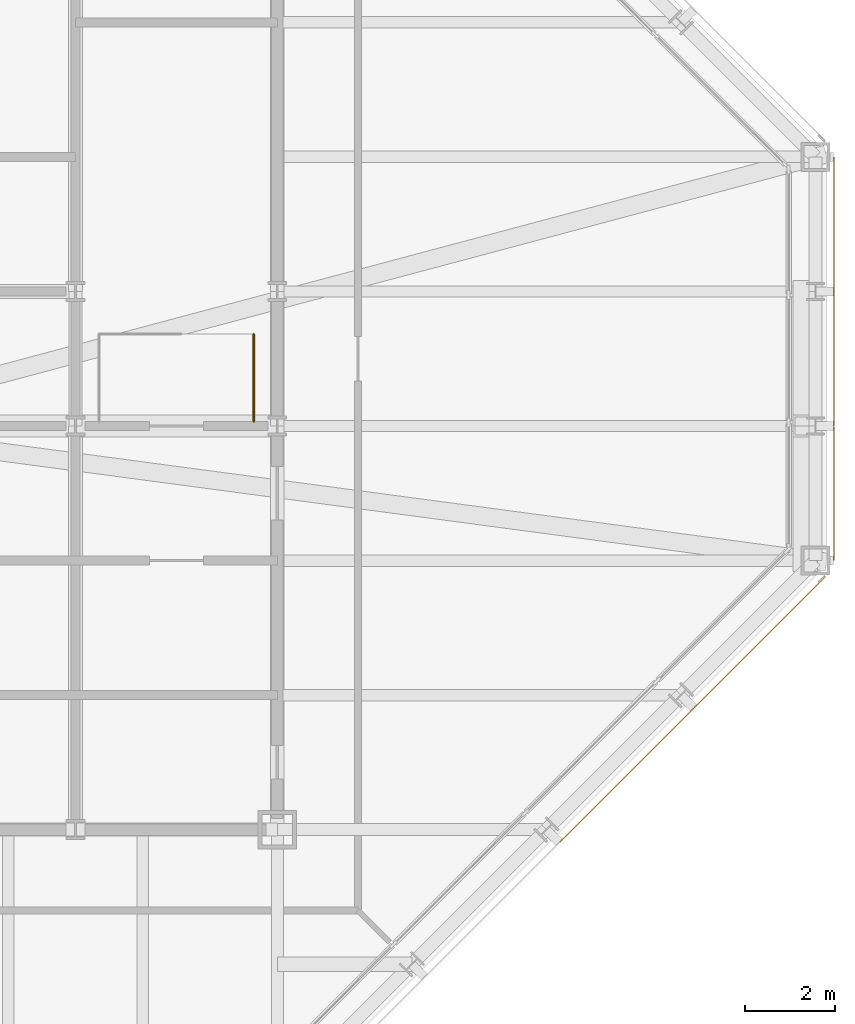
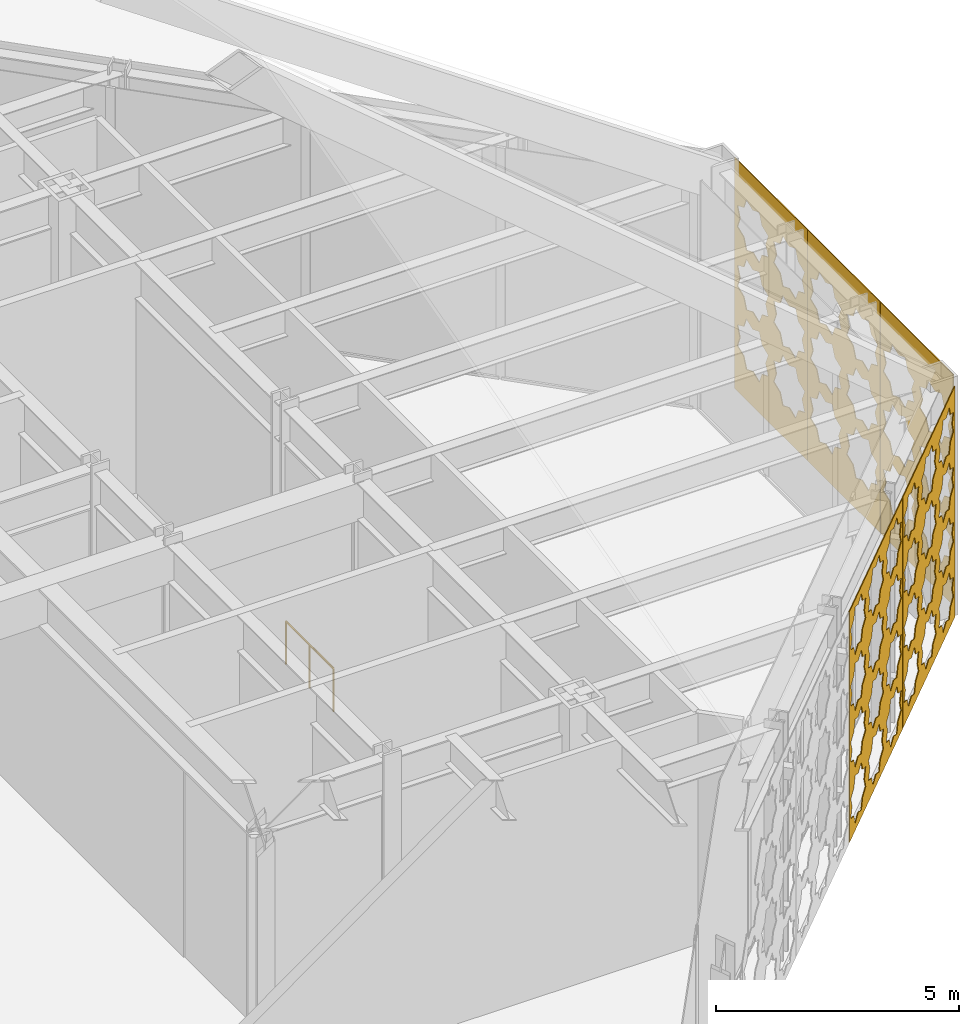
# One storey, part 26 of 30: 5 coverings, 1 railing.
"""IFC4 building model written with IfcOpenShell, lengths in metres."""

from ifc_helpers import new_model, si_unit, direction, frame, origin, origin_2d, place, context, subcontext, project, spatial, polyline, circle, outline, extrude, material, layer, layer_set, type_object, element, save


model = new_model("IFC4")

# Units and contexts
model_context = context("Model", 3, precision=1e-05, world=origin(), true_north=direction((0.0, 1.0)))
body_context = subcontext(model_context, "Body", "Model", "MODEL_VIEW")
ifc_project = project(units=[si_unit("LENGTHUNIT", "METRE"), si_unit("AREAUNIT", "SQUARE_METRE"), si_unit("VOLUMEUNIT", "CUBIC_METRE"), si_unit("PLANEANGLEUNIT", "RADIAN"), si_unit("MASSUNIT", "GRAM", prefix="KILO")], contexts=[model_context])

# Site, building, storey
site_placement = place(None, origin())
site = spatial("IfcSite", under=ifc_project, at=site_placement, CompositionType="ELEMENT")
building_placement = place(site_placement, origin())
building = spatial("IfcBuilding", under=site, at=building_placement, Name="Chuquiago Exchange Tower", CompositionType="ELEMENT")
storey_placement = place(building_placement, frame((0.0, 0.0, 306.0)))
storey = spatial("IfcBuildingStorey", under=building, at=storey_placement, Name="L68", CompositionType="ELEMENT", Elevation=306.0)

# Coverings
ifc_material_1 = material(Name="Anodised aluminium, pale", Category="aluminium")
ifc_layer_1 = layer(ifc_material_1, 0.02001953125)
ifc_layer_set_1 = layer_set([ifc_layer_1], Name="GC3 girih cladding panel 20")
covering_type_1 = type_object("IfcCoveringType", Name="GC3 girih cladding panel 20", PredefinedType="CLADDING", material=ifc_layer_set_1)
covering_1_placement = place(storey_placement, frame((45.39990234375, 18.0048828125, 0.0048828125), z_axis=(0.0, 0.0, 1.0), x_axis=(0.0, 1.0, 0.0)))
element("IfcCovering", 1, at=covering_1_placement, inside=storey, type_object=covering_type_1, Name="Girih cladding panel L68 E 1", PredefinedType="CLADDING", context=body_context, shape_type="SweptSolid", body=[
    extrude(outline(polyline([(0.0, 0.0), (2.989990234375, 0.0), (2.989990234375, 5.795166015625), (0.0, 5.795166015625), (0.0, 0.0)]), holes=[polyline([(1.27392578125, 1.402587890625), (1.3828125, 1.665771484375), (1.11962890625, 1.77490234375), (1.0107421875, 2.0380859375), (0.74755859375, 1.928955078125), (0.484375, 2.0380859375), (0.375244140625, 1.77490234375), (0.112060546875, 1.665771484375), (0.22119140625, 1.402587890625), (0.112060546875, 1.139404296875), (0.375244140625, 1.030517578125), (0.484375, 0.767333984375), (0.74755859375, 0.876220703125), (1.0107421875, 0.767333984375), (1.11962890625, 1.030517578125), (1.3828125, 1.139404296875), (1.27392578125, 1.402587890625)]), polyline([(2.768798828125, 1.402587890625), (2.8779296875, 1.665771484375), (2.61474609375, 1.77490234375), (2.505615234375, 2.0380859375), (2.242431640625, 1.928955078125), (1.979248046875, 2.0380859375), (1.870361328125, 1.77490234375), (1.607177734375, 1.665771484375), (1.716064453125, 1.402587890625), (1.607177734375, 1.139404296875), (1.870361328125, 1.030517578125), (1.979248046875, 0.767333984375), (2.242431640625, 0.876220703125), (2.505615234375, 0.767333984375), (2.61474609375, 1.030517578125), (2.8779296875, 1.139404296875), (2.768798828125, 1.402587890625)]), polyline([(1.27392578125, 2.897705078125), (1.3828125, 3.160888671875), (1.11962890625, 3.269775390625), (1.0107421875, 3.532958984375), (0.74755859375, 3.424072265625), (0.484375, 3.532958984375), (0.375244140625, 3.269775390625), (0.112060546875, 3.160888671875), (0.22119140625, 2.897705078125), (0.112060546875, 2.634521484375), (0.375244140625, 2.525390625), (0.484375, 2.26220703125), (0.74755859375, 2.371337890625), (1.0107421875, 2.26220703125), (1.11962890625, 2.525390625), (1.3828125, 2.634521484375), (1.27392578125, 2.897705078125)]), polyline([(2.768798828125, 2.897705078125), (2.8779296875, 3.160888671875), (2.61474609375, 3.269775390625), (2.505615234375, 3.532958984375), (2.242431640625, 3.424072265625), (1.979248046875, 3.532958984375), (1.870361328125, 3.269775390625), (1.607177734375, 3.160888671875), (1.716064453125, 2.897705078125), (1.607177734375, 2.634521484375), (1.870361328125, 2.525390625), (1.979248046875, 2.26220703125), (2.242431640625, 2.371337890625), (2.505615234375, 2.26220703125), (2.61474609375, 2.525390625), (2.8779296875, 2.634521484375), (2.768798828125, 2.897705078125)]), polyline([(1.27392578125, 4.392578125), (1.3828125, 4.65576171875), (1.11962890625, 4.764892578125), (1.0107421875, 5.028076171875), (0.74755859375, 4.9189453125), (0.484375, 5.028076171875), (0.375244140625, 4.764892578125), (0.112060546875, 4.65576171875), (0.22119140625, 4.392578125), (0.112060546875, 4.12939453125), (0.375244140625, 4.0205078125), (0.484375, 3.75732421875), (0.74755859375, 3.8662109375), (1.0107421875, 3.75732421875), (1.11962890625, 4.0205078125), (1.3828125, 4.12939453125), (1.27392578125, 4.392578125)]), polyline([(2.768798828125, 4.392578125), (2.8779296875, 4.65576171875), (2.61474609375, 4.764892578125), (2.505615234375, 5.028076171875), (2.242431640625, 4.9189453125), (1.979248046875, 5.028076171875), (1.870361328125, 4.764892578125), (1.607177734375, 4.65576171875), (1.716064453125, 4.392578125), (1.607177734375, 4.12939453125), (1.870361328125, 4.0205078125), (1.979248046875, 3.75732421875), (2.242431640625, 3.8662109375), (2.505615234375, 3.75732421875), (2.61474609375, 4.0205078125), (2.8779296875, 4.12939453125), (2.768798828125, 4.392578125)])]), frame((0.0, 0.0, 0.0), z_axis=(0.0, -1.0, 0.0), x_axis=(1.0, 0.0, 0.0)), (0.0, 0.0, 1.0), 0.02001953125),
])
covering_2_placement = place(storey_placement, frame((45.39990234375, 21.0048828125, 0.0048828125), z_axis=(0.0, 0.0, 1.0), x_axis=(0.0, 1.0, 0.0)))
element("IfcCovering", 2, at=covering_2_placement, inside=storey, type_object=covering_type_1, Name="Girih cladding panel L68 E 2", PredefinedType="CLADDING", context=body_context, shape_type="SweptSolid", body=[
    extrude(outline(polyline([(0.0, 0.0), (2.989990234375, 0.0), (2.989990234375, 5.795166015625), (0.0, 5.795166015625), (0.0, 0.0)]), holes=[polyline([(1.27392578125, 1.402587890625), (1.3828125, 1.665771484375), (1.11962890625, 1.77490234375), (1.0107421875, 2.0380859375), (0.74755859375, 1.928955078125), (0.484375, 2.0380859375), (0.375244140625, 1.77490234375), (0.112060546875, 1.665771484375), (0.22119140625, 1.402587890625), (0.112060546875, 1.139404296875), (0.375244140625, 1.030517578125), (0.484375, 0.767333984375), (0.74755859375, 0.876220703125), (1.0107421875, 0.767333984375), (1.11962890625, 1.030517578125), (1.3828125, 1.139404296875), (1.27392578125, 1.402587890625)]), polyline([(2.768798828125, 1.402587890625), (2.8779296875, 1.665771484375), (2.61474609375, 1.77490234375), (2.505615234375, 2.0380859375), (2.242431640625, 1.928955078125), (1.979248046875, 2.0380859375), (1.870361328125, 1.77490234375), (1.607177734375, 1.665771484375), (1.716064453125, 1.402587890625), (1.607177734375, 1.139404296875), (1.870361328125, 1.030517578125), (1.979248046875, 0.767333984375), (2.242431640625, 0.876220703125), (2.505615234375, 0.767333984375), (2.61474609375, 1.030517578125), (2.8779296875, 1.139404296875), (2.768798828125, 1.402587890625)]), polyline([(1.27392578125, 2.897705078125), (1.3828125, 3.160888671875), (1.11962890625, 3.269775390625), (1.0107421875, 3.532958984375), (0.74755859375, 3.424072265625), (0.484375, 3.532958984375), (0.375244140625, 3.269775390625), (0.112060546875, 3.160888671875), (0.22119140625, 2.897705078125), (0.112060546875, 2.634521484375), (0.375244140625, 2.525390625), (0.484375, 2.26220703125), (0.74755859375, 2.371337890625), (1.0107421875, 2.26220703125), (1.11962890625, 2.525390625), (1.3828125, 2.634521484375), (1.27392578125, 2.897705078125)]), polyline([(2.768798828125, 2.897705078125), (2.8779296875, 3.160888671875), (2.61474609375, 3.269775390625), (2.505615234375, 3.532958984375), (2.242431640625, 3.424072265625), (1.979248046875, 3.532958984375), (1.870361328125, 3.269775390625), (1.607177734375, 3.160888671875), (1.716064453125, 2.897705078125), (1.607177734375, 2.634521484375), (1.870361328125, 2.525390625), (1.979248046875, 2.26220703125), (2.242431640625, 2.371337890625), (2.505615234375, 2.26220703125), (2.61474609375, 2.525390625), (2.8779296875, 2.634521484375), (2.768798828125, 2.897705078125)]), polyline([(1.27392578125, 4.392578125), (1.3828125, 4.65576171875), (1.11962890625, 4.764892578125), (1.0107421875, 5.028076171875), (0.74755859375, 4.9189453125), (0.484375, 5.028076171875), (0.375244140625, 4.764892578125), (0.112060546875, 4.65576171875), (0.22119140625, 4.392578125), (0.112060546875, 4.12939453125), (0.375244140625, 4.0205078125), (0.484375, 3.75732421875), (0.74755859375, 3.8662109375), (1.0107421875, 3.75732421875), (1.11962890625, 4.0205078125), (1.3828125, 4.12939453125), (1.27392578125, 4.392578125)]), polyline([(2.768798828125, 4.392578125), (2.8779296875, 4.65576171875), (2.61474609375, 4.764892578125), (2.505615234375, 5.028076171875), (2.242431640625, 4.9189453125), (1.979248046875, 5.028076171875), (1.870361328125, 4.764892578125), (1.607177734375, 4.65576171875), (1.716064453125, 4.392578125), (1.607177734375, 4.12939453125), (1.870361328125, 4.0205078125), (1.979248046875, 3.75732421875), (2.242431640625, 3.8662109375), (2.505615234375, 3.75732421875), (2.61474609375, 4.0205078125), (2.8779296875, 4.12939453125), (2.768798828125, 4.392578125)])]), frame((0.0, 0.0, 0.0), z_axis=(0.0, -1.0, 0.0), x_axis=(1.0, 0.0, 0.0)), (0.0, 0.0, 1.0), 0.02001953125),
])
covering_3_placement = place(storey_placement, frame((45.39990234375, 24.0048828125, 0.0048828125), z_axis=(0.0, 0.0, 1.0), x_axis=(0.0, 1.0, 0.0)))
element("IfcCovering", 3, at=covering_3_placement, inside=storey, type_object=covering_type_1, Name="Girih cladding panel L68 E 3", PredefinedType="CLADDING", context=body_context, shape_type="SweptSolid", body=[
    extrude(outline(polyline([(0.0, 0.0), (2.989990234375, 0.0), (2.989990234375, 5.795166015625), (0.0, 5.795166015625), (0.0, 0.0)]), holes=[polyline([(1.27392578125, 1.402587890625), (1.3828125, 1.665771484375), (1.11962890625, 1.77490234375), (1.0107421875, 2.0380859375), (0.74755859375, 1.928955078125), (0.484375, 2.0380859375), (0.375244140625, 1.77490234375), (0.112060546875, 1.665771484375), (0.22119140625, 1.402587890625), (0.112060546875, 1.139404296875), (0.375244140625, 1.030517578125), (0.484375, 0.767333984375), (0.74755859375, 0.876220703125), (1.0107421875, 0.767333984375), (1.11962890625, 1.030517578125), (1.3828125, 1.139404296875), (1.27392578125, 1.402587890625)]), polyline([(2.768798828125, 1.402587890625), (2.8779296875, 1.665771484375), (2.61474609375, 1.77490234375), (2.505615234375, 2.0380859375), (2.242431640625, 1.928955078125), (1.979248046875, 2.0380859375), (1.870361328125, 1.77490234375), (1.607177734375, 1.665771484375), (1.716064453125, 1.402587890625), (1.607177734375, 1.139404296875), (1.870361328125, 1.030517578125), (1.979248046875, 0.767333984375), (2.242431640625, 0.876220703125), (2.505615234375, 0.767333984375), (2.61474609375, 1.030517578125), (2.8779296875, 1.139404296875), (2.768798828125, 1.402587890625)]), polyline([(1.27392578125, 2.897705078125), (1.3828125, 3.160888671875), (1.11962890625, 3.269775390625), (1.0107421875, 3.532958984375), (0.74755859375, 3.424072265625), (0.484375, 3.532958984375), (0.375244140625, 3.269775390625), (0.112060546875, 3.160888671875), (0.22119140625, 2.897705078125), (0.112060546875, 2.634521484375), (0.375244140625, 2.525390625), (0.484375, 2.26220703125), (0.74755859375, 2.371337890625), (1.0107421875, 2.26220703125), (1.11962890625, 2.525390625), (1.3828125, 2.634521484375), (1.27392578125, 2.897705078125)]), polyline([(2.768798828125, 2.897705078125), (2.8779296875, 3.160888671875), (2.61474609375, 3.269775390625), (2.505615234375, 3.532958984375), (2.242431640625, 3.424072265625), (1.979248046875, 3.532958984375), (1.870361328125, 3.269775390625), (1.607177734375, 3.160888671875), (1.716064453125, 2.897705078125), (1.607177734375, 2.634521484375), (1.870361328125, 2.525390625), (1.979248046875, 2.26220703125), (2.242431640625, 2.371337890625), (2.505615234375, 2.26220703125), (2.61474609375, 2.525390625), (2.8779296875, 2.634521484375), (2.768798828125, 2.897705078125)]), polyline([(1.27392578125, 4.392578125), (1.3828125, 4.65576171875), (1.11962890625, 4.764892578125), (1.0107421875, 5.028076171875), (0.74755859375, 4.9189453125), (0.484375, 5.028076171875), (0.375244140625, 4.764892578125), (0.112060546875, 4.65576171875), (0.22119140625, 4.392578125), (0.112060546875, 4.12939453125), (0.375244140625, 4.0205078125), (0.484375, 3.75732421875), (0.74755859375, 3.8662109375), (1.0107421875, 3.75732421875), (1.11962890625, 4.0205078125), (1.3828125, 4.12939453125), (1.27392578125, 4.392578125)]), polyline([(2.768798828125, 4.392578125), (2.8779296875, 4.65576171875), (2.61474609375, 4.764892578125), (2.505615234375, 5.028076171875), (2.242431640625, 4.9189453125), (1.979248046875, 5.028076171875), (1.870361328125, 4.764892578125), (1.607177734375, 4.65576171875), (1.716064453125, 4.392578125), (1.607177734375, 4.12939453125), (1.870361328125, 4.0205078125), (1.979248046875, 3.75732421875), (2.242431640625, 3.8662109375), (2.505615234375, 3.75732421875), (2.61474609375, 4.0205078125), (2.8779296875, 4.12939453125), (2.768798828125, 4.392578125)])]), frame((0.0, 0.0, 0.0), z_axis=(0.0, -1.0, 0.0), x_axis=(1.0, 0.0, 0.0)), (0.0, 0.0, 1.0), 0.02001953125),
])
ifc_material_2 = material(Name="Anodised aluminium, pale", Category="aluminium")
ifc_layer_2 = layer(ifc_material_2, 0.02001953125)
ifc_layer_set_2 = layer_set([ifc_layer_2], Name="GC4 girih cladding panel 20")
covering_type_2 = type_object("IfcCoveringType", Name="GC4 girih cladding panel 20", PredefinedType="CLADDING", material=ifc_layer_set_2)
covering_4_placement = place(storey_placement, frame((39.286376953125, 11.720703125, 0.0048828125), z_axis=(0.0, 0.0, 1.0), x_axis=(0.707106781187, 0.707106781187, 0.0)))
element("IfcCovering", 4, at=covering_4_placement, inside=storey, type_object=covering_type_2, Name="Girih cladding panel L68 SE 5", PredefinedType="CLADDING", context=body_context, shape_type="SweptSolid", body=[
    extrude(outline(polyline([(0.0, 0.0), (4.232666015625, 0.0), (4.232666015625, 5.795166015625), (0.0, 5.795166015625), (0.0, 0.0)]), holes=[polyline([(1.2021484375, 0.78125), (1.304931640625, 1.029541015625), (1.056640625, 1.132568359375), (0.953857421875, 1.380859375), (0.70556640625, 1.278076171875), (0.45703125, 1.380859375), (0.354248046875, 1.132568359375), (0.10595703125, 1.029541015625), (0.208740234375, 0.78125), (0.10595703125, 0.532958984375), (0.354248046875, 0.429931640625), (0.45703125, 0.181640625), (0.705322265625, 0.284423828125), (0.953857421875, 0.181640625), (1.056640625, 0.429931640625), (1.304931640625, 0.532958984375), (1.2021484375, 0.78125)]), polyline([(2.613037109375, 0.78125), (2.7158203125, 1.029541015625), (2.467529296875, 1.132568359375), (2.36474609375, 1.380859375), (2.116455078125, 1.278076171875), (1.867919921875, 1.380859375), (1.76513671875, 1.132568359375), (1.516845703125, 1.029541015625), (1.61962890625, 0.78125), (1.516845703125, 0.532958984375), (1.76513671875, 0.429931640625), (1.867919921875, 0.181640625), (2.116455078125, 0.284423828125), (2.36474609375, 0.181640625), (2.467529296875, 0.429931640625), (2.7158203125, 0.532958984375), (2.613037109375, 0.78125)]), polyline([(4.02392578125, 0.78125), (4.126708984375, 1.029541015625), (3.87841796875, 1.132568359375), (3.775634765625, 1.380859375), (3.527099609375, 1.278076171875), (3.27880859375, 1.380859375), (3.176025390625, 1.132568359375), (2.927734375, 1.029541015625), (3.030517578125, 0.78125), (2.927734375, 0.532958984375), (3.176025390625, 0.429931640625), (3.27880859375, 0.181640625), (3.527099609375, 0.284423828125), (3.775634765625, 0.181640625), (3.87841796875, 0.429931640625), (4.126708984375, 0.532958984375), (4.02392578125, 0.78125)]), polyline([(1.2021484375, 2.192138671875), (1.304931640625, 2.4404296875), (1.056640625, 2.54345703125), (0.953857421875, 2.791748046875), (0.70556640625, 2.68896484375), (0.45703125, 2.791748046875), (0.354248046875, 2.54345703125), (0.10595703125, 2.4404296875), (0.208740234375, 2.192138671875), (0.10595703125, 1.94384765625), (0.354248046875, 1.8408203125), (0.45703125, 1.592529296875), (0.705322265625, 1.6953125), (0.953857421875, 1.592529296875), (1.056640625, 1.8408203125), (1.304931640625, 1.94384765625), (1.2021484375, 2.192138671875)]), polyline([(2.613037109375, 2.192138671875), (2.7158203125, 2.4404296875), (2.467529296875, 2.54345703125), (2.36474609375, 2.791748046875), (2.116455078125, 2.68896484375), (1.867919921875, 2.791748046875), (1.76513671875, 2.54345703125), (1.516845703125, 2.4404296875), (1.61962890625, 2.192138671875), (1.516845703125, 1.94384765625), (1.76513671875, 1.8408203125), (1.867919921875, 1.592529296875), (2.116455078125, 1.6953125), (2.36474609375, 1.592529296875), (2.467529296875, 1.8408203125), (2.7158203125, 1.94384765625), (2.613037109375, 2.192138671875)]), polyline([(4.02392578125, 2.192138671875), (4.126708984375, 2.4404296875), (3.87841796875, 2.54345703125), (3.775634765625, 2.791748046875), (3.527099609375, 2.68896484375), (3.27880859375, 2.791748046875), (3.176025390625, 2.54345703125), (2.927734375, 2.4404296875), (3.030517578125, 2.192138671875), (2.927734375, 1.94384765625), (3.176025390625, 1.8408203125), (3.27880859375, 1.592529296875), (3.527099609375, 1.6953125), (3.775634765625, 1.592529296875), (3.87841796875, 1.8408203125), (4.126708984375, 1.94384765625), (4.02392578125, 2.192138671875)]), polyline([(1.2021484375, 3.60302734375), (1.304931640625, 3.851318359375), (1.056640625, 3.954345703125), (0.953857421875, 4.20263671875), (0.70556640625, 4.099853515625), (0.45703125, 4.20263671875), (0.354248046875, 3.954345703125), (0.10595703125, 3.851318359375), (0.208740234375, 3.60302734375), (0.10595703125, 3.354736328125), (0.354248046875, 3.251708984375), (0.45703125, 3.00341796875), (0.705322265625, 3.106201171875), (0.953857421875, 3.00341796875), (1.056640625, 3.251708984375), (1.304931640625, 3.354736328125), (1.2021484375, 3.60302734375)]), polyline([(2.613037109375, 3.60302734375), (2.7158203125, 3.851318359375), (2.467529296875, 3.954345703125), (2.36474609375, 4.20263671875), (2.116455078125, 4.099853515625), (1.867919921875, 4.20263671875), (1.76513671875, 3.954345703125), (1.516845703125, 3.851318359375), (1.61962890625, 3.60302734375), (1.516845703125, 3.354736328125), (1.76513671875, 3.251708984375), (1.867919921875, 3.00341796875), (2.116455078125, 3.106201171875), (2.36474609375, 3.00341796875), (2.467529296875, 3.251708984375), (2.7158203125, 3.354736328125), (2.613037109375, 3.60302734375)]), polyline([(4.02392578125, 3.60302734375), (4.126708984375, 3.851318359375), (3.87841796875, 3.954345703125), (3.775634765625, 4.20263671875), (3.527099609375, 4.099853515625), (3.27880859375, 4.20263671875), (3.176025390625, 3.954345703125), (2.927734375, 3.851318359375), (3.030517578125, 3.60302734375), (2.927734375, 3.354736328125), (3.176025390625, 3.251708984375), (3.27880859375, 3.00341796875), (3.527099609375, 3.106201171875), (3.775634765625, 3.00341796875), (3.87841796875, 3.251708984375), (4.126708984375, 3.354736328125), (4.02392578125, 3.60302734375)]), polyline([(1.2021484375, 5.013916015625), (1.304931640625, 5.26220703125), (1.056640625, 5.365234375), (0.953857421875, 5.613525390625), (0.70556640625, 5.5107421875), (0.45703125, 5.613525390625), (0.354248046875, 5.365234375), (0.10595703125, 5.26220703125), (0.208740234375, 5.013916015625), (0.10595703125, 4.765625), (0.354248046875, 4.66259765625), (0.45703125, 4.414306640625), (0.705322265625, 4.517333984375), (0.953857421875, 4.414306640625), (1.056640625, 4.66259765625), (1.304931640625, 4.765625), (1.2021484375, 5.013916015625)]), polyline([(2.613037109375, 5.013916015625), (2.7158203125, 5.26220703125), (2.467529296875, 5.365234375), (2.36474609375, 5.613525390625), (2.116455078125, 5.5107421875), (1.867919921875, 5.613525390625), (1.76513671875, 5.365234375), (1.516845703125, 5.26220703125), (1.61962890625, 5.013916015625), (1.516845703125, 4.765625), (1.76513671875, 4.66259765625), (1.867919921875, 4.414306640625), (2.116455078125, 4.517333984375), (2.36474609375, 4.414306640625), (2.467529296875, 4.66259765625), (2.7158203125, 4.765625), (2.613037109375, 5.013916015625)]), polyline([(4.02392578125, 5.013916015625), (4.126708984375, 5.26220703125), (3.87841796875, 5.365234375), (3.775634765625, 5.613525390625), (3.527099609375, 5.5107421875), (3.27880859375, 5.613525390625), (3.176025390625, 5.365234375), (2.927734375, 5.26220703125), (3.030517578125, 5.013916015625), (2.927734375, 4.765625), (3.176025390625, 4.66259765625), (3.27880859375, 4.414306640625), (3.527099609375, 4.517333984375), (3.775634765625, 4.414306640625), (3.87841796875, 4.66259765625), (4.126708984375, 4.765625), (4.02392578125, 5.013916015625)])]), frame((0.0, 0.0, 0.0), z_axis=(0.0, -1.0, 0.0), x_axis=(1.0, 0.0, 0.0)), (0.0, 0.0, 1.0), 0.02001953125),
])
ifc_material_3 = material(Name="Anodised aluminium, pale", Category="aluminium")
ifc_layer_3 = layer(ifc_material_3, 0.02001953125)
ifc_layer_set_3 = layer_set([ifc_layer_3], Name="GC7 girih cladding panel 20")
covering_type_3 = type_object("IfcCoveringType", Name="GC7 girih cladding panel 20", PredefinedType="CLADDING", material=ifc_layer_set_3)
covering_5_placement = place(storey_placement, frame((42.286376953125, 14.720703125, 0.0048828125), z_axis=(0.0, 0.0, 1.0), x_axis=(0.707106781187, 0.707106781187, 0.0)))
element("IfcCovering", 5, at=covering_5_placement, inside=storey, type_object=covering_type_3, Name="Girih cladding panel L68 SE 6", PredefinedType="CLADDING", context=body_context, shape_type="SweptSolid", body=[
    extrude(outline(polyline([(0.0, 0.0), (4.142578125, 0.0), (4.142578125, 5.795166015625), (0.0, 5.795166015625), (0.0, 0.0)]), holes=[polyline([(1.176513671875, 0.826416015625), (1.27734375, 1.0693359375), (1.0341796875, 1.169921875), (0.93359375, 1.4130859375), (0.6904296875, 1.3125), (0.447509765625, 1.4130859375), (0.3466796875, 1.169921875), (0.103515625, 1.0693359375), (0.204345703125, 0.826416015625), (0.103515625, 0.583251953125), (0.3466796875, 0.482421875), (0.447509765625, 0.239501953125), (0.6904296875, 0.340087890625), (0.93359375, 0.239501953125), (1.0341796875, 0.482421875), (1.27734375, 0.583251953125), (1.176513671875, 0.826416015625)]), polyline([(2.5576171875, 0.826416015625), (2.658203125, 1.0693359375), (2.4150390625, 1.169921875), (2.314453125, 1.4130859375), (2.0712890625, 1.3125), (1.828369140625, 1.4130859375), (1.7275390625, 1.169921875), (1.484619140625, 1.0693359375), (1.585205078125, 0.826416015625), (1.484619140625, 0.583251953125), (1.7275390625, 0.482421875), (1.828369140625, 0.239501953125), (2.0712890625, 0.340087890625), (2.314453125, 0.239501953125), (2.4150390625, 0.482421875), (2.658203125, 0.583251953125), (2.5576171875, 0.826416015625)]), polyline([(3.9384765625, 0.826416015625), (4.0390625, 1.0693359375), (3.7958984375, 1.169921875), (3.6953125, 1.4130859375), (3.452392578125, 1.3125), (3.209228515625, 1.4130859375), (3.1083984375, 1.169921875), (2.865478515625, 1.0693359375), (2.966064453125, 0.826416015625), (2.865478515625, 0.583251953125), (3.1083984375, 0.482421875), (3.209228515625, 0.239501953125), (3.452392578125, 0.340087890625), (3.6953125, 0.239501953125), (3.7958984375, 0.482421875), (4.0390625, 0.583251953125), (3.9384765625, 0.826416015625)]), polyline([(1.176513671875, 2.207275390625), (1.27734375, 2.4501953125), (1.0341796875, 2.551025390625), (0.93359375, 2.7939453125), (0.6904296875, 2.693359375), (0.447509765625, 2.7939453125), (0.3466796875, 2.551025390625), (0.103515625, 2.4501953125), (0.204345703125, 2.207275390625), (0.103515625, 1.964111328125), (0.3466796875, 1.863525390625), (0.447509765625, 1.620361328125), (0.6904296875, 1.720947265625), (0.93359375, 1.620361328125), (1.0341796875, 1.863525390625), (1.27734375, 1.964111328125), (1.176513671875, 2.207275390625)]), polyline([(2.5576171875, 2.207275390625), (2.658203125, 2.4501953125), (2.4150390625, 2.551025390625), (2.314453125, 2.7939453125), (2.0712890625, 2.693359375), (1.828369140625, 2.7939453125), (1.7275390625, 2.551025390625), (1.484619140625, 2.4501953125), (1.585205078125, 2.207275390625), (1.484619140625, 1.964111328125), (1.7275390625, 1.863525390625), (1.828369140625, 1.620361328125), (2.0712890625, 1.720947265625), (2.314453125, 1.620361328125), (2.4150390625, 1.863525390625), (2.658203125, 1.964111328125), (2.5576171875, 2.207275390625)]), polyline([(3.9384765625, 2.207275390625), (4.0390625, 2.4501953125), (3.7958984375, 2.551025390625), (3.6953125, 2.7939453125), (3.452392578125, 2.693359375), (3.209228515625, 2.7939453125), (3.1083984375, 2.551025390625), (2.865478515625, 2.4501953125), (2.966064453125, 2.207275390625), (2.865478515625, 1.964111328125), (3.1083984375, 1.863525390625), (3.209228515625, 1.620361328125), (3.452392578125, 1.720947265625), (3.6953125, 1.620361328125), (3.7958984375, 1.863525390625), (4.0390625, 1.964111328125), (3.9384765625, 2.207275390625)]), polyline([(1.176513671875, 3.588134765625), (1.27734375, 3.8310546875), (1.0341796875, 3.931884765625), (0.93359375, 4.1748046875), (0.6904296875, 4.07421875), (0.447509765625, 4.1748046875), (0.3466796875, 3.931884765625), (0.103515625, 3.8310546875), (0.204345703125, 3.588134765625), (0.103515625, 3.344970703125), (0.3466796875, 3.244384765625), (0.447509765625, 3.001220703125), (0.6904296875, 3.101806640625), (0.93359375, 3.001220703125), (1.0341796875, 3.244384765625), (1.27734375, 3.344970703125), (1.176513671875, 3.588134765625)]), polyline([(2.5576171875, 3.588134765625), (2.658203125, 3.8310546875), (2.4150390625, 3.931884765625), (2.314453125, 4.1748046875), (2.0712890625, 4.07421875), (1.828369140625, 4.1748046875), (1.7275390625, 3.931884765625), (1.484619140625, 3.8310546875), (1.585205078125, 3.588134765625), (1.484619140625, 3.344970703125), (1.7275390625, 3.244384765625), (1.828369140625, 3.001220703125), (2.0712890625, 3.101806640625), (2.314453125, 3.001220703125), (2.4150390625, 3.244384765625), (2.658203125, 3.344970703125), (2.5576171875, 3.588134765625)]), polyline([(3.9384765625, 3.588134765625), (4.0390625, 3.8310546875), (3.7958984375, 3.931884765625), (3.6953125, 4.1748046875), (3.452392578125, 4.07421875), (3.209228515625, 4.1748046875), (3.1083984375, 3.931884765625), (2.865478515625, 3.8310546875), (2.966064453125, 3.588134765625), (2.865478515625, 3.344970703125), (3.1083984375, 3.244384765625), (3.209228515625, 3.001220703125), (3.452392578125, 3.101806640625), (3.6953125, 3.001220703125), (3.7958984375, 3.244384765625), (4.0390625, 3.344970703125), (3.9384765625, 3.588134765625)]), polyline([(1.176513671875, 4.968994140625), (1.27734375, 5.2119140625), (1.0341796875, 5.312744140625), (0.93359375, 5.555908203125), (0.6904296875, 5.455078125), (0.447509765625, 5.555908203125), (0.3466796875, 5.312744140625), (0.103515625, 5.2119140625), (0.204345703125, 4.968994140625), (0.103515625, 4.725830078125), (0.3466796875, 4.625244140625), (0.447509765625, 4.382080078125), (0.6904296875, 4.48291015625), (0.93359375, 4.382080078125), (1.0341796875, 4.625244140625), (1.27734375, 4.725830078125), (1.176513671875, 4.968994140625)]), polyline([(2.5576171875, 4.968994140625), (2.658203125, 5.2119140625), (2.4150390625, 5.312744140625), (2.314453125, 5.555908203125), (2.0712890625, 5.455078125), (1.828369140625, 5.555908203125), (1.7275390625, 5.312744140625), (1.484619140625, 5.2119140625), (1.585205078125, 4.968994140625), (1.484619140625, 4.725830078125), (1.7275390625, 4.625244140625), (1.828369140625, 4.382080078125), (2.0712890625, 4.48291015625), (2.314453125, 4.382080078125), (2.4150390625, 4.625244140625), (2.658203125, 4.725830078125), (2.5576171875, 4.968994140625)]), polyline([(3.9384765625, 4.968994140625), (4.0390625, 5.2119140625), (3.7958984375, 5.312744140625), (3.6953125, 5.555908203125), (3.452392578125, 5.455078125), (3.209228515625, 5.555908203125), (3.1083984375, 5.312744140625), (2.865478515625, 5.2119140625), (2.966064453125, 4.968994140625), (2.865478515625, 4.725830078125), (3.1083984375, 4.625244140625), (3.209228515625, 4.382080078125), (3.452392578125, 4.48291015625), (3.6953125, 4.382080078125), (3.7958984375, 4.625244140625), (4.0390625, 4.725830078125), (3.9384765625, 4.968994140625)])]), frame((0.0, 0.0, 0.0), z_axis=(0.0, -1.0, 0.0), x_axis=(1.0, 0.0, 0.0)), (0.0, 0.0, 1.0), 0.02001953125),
])

# Railing
ifc_material_4 = material(Name="Pale metal guard with safety glass infill", Category="glass")
railing_type = type_object("IfcRailingType", Name="GR1 guard 1100", PredefinedType="GUARDRAIL", material=ifc_material_4)
railing_placement = place(storey_placement, frame((32.47509765625, 21.10009765625, 0.0)))
element("IfcRailing", 6, at=railing_placement, inside=storey, type_object=railing_type, Name="Guard ST2 top landing L68 east side", PredefinedType="GUARDRAIL", context=body_context, shape_type="SweptSolid", body=[
    extrude(circle(Radius=0.02392578125, at=origin_2d()), frame((0.0, 0.0, 1.076171875), z_axis=(0.0, 1.0, 0.0), x_axis=(-1.0, 0.0, 0.0)), (0.0, 0.0, 1.0), 1.949951171875),
    extrude(circle(Radius=0.02099609375, at=origin_2d()), origin(), (0.0, 0.0, 1.0), 1.052001953125),
    extrude(circle(Radius=0.02099609375, at=origin_2d()), frame((0.0, 0.97509765625, 0.0)), (0.0, 0.0, 1.0), 1.052001953125),
    extrude(circle(Radius=0.02099609375, at=origin_2d()), frame((0.0, 1.949951171875, 0.0)), (0.0, 0.0, 1.0), 1.052001953125),
])

save(model, "model.ifc")
